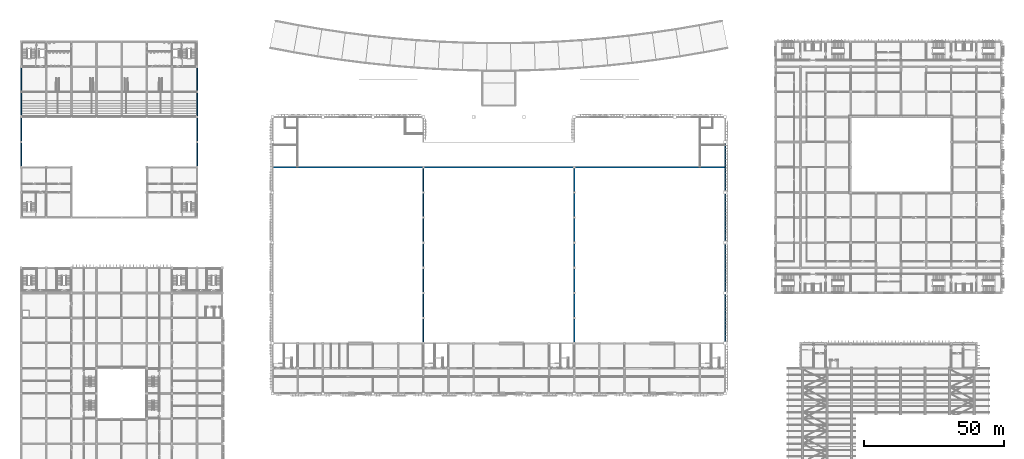
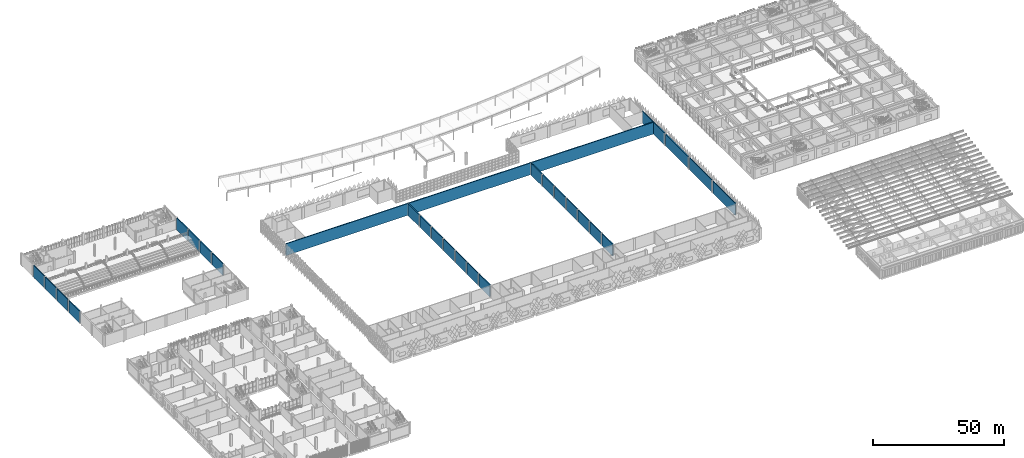
# One storey, part 117 of 185: 27 walls.
"""IFC4 building model written with IfcOpenShell, lengths in metres."""

from ifc_helpers import new_model, si_unit, direction, frame, frame_2d, origin, place, context, subcontext, project, spatial, rectangle, extrude, material, layer, layer_set, type_object, element, save


model = new_model("IFC4")

# Units and contexts
model_context = context("Model", 3, precision=1e-05, world=origin(), true_north=direction((0.0, 1.0)))
body_context = subcontext(model_context, "Body", "Model", "MODEL_VIEW")
ifc_project = project(units=[si_unit("LENGTHUNIT", "METRE"), si_unit("AREAUNIT", "SQUARE_METRE"), si_unit("VOLUMEUNIT", "CUBIC_METRE"), si_unit("PLANEANGLEUNIT", "RADIAN"), si_unit("MASSUNIT", "GRAM", prefix="KILO")], contexts=[model_context])

# Site, building, storey
site_placement = place(None, origin())
site = spatial("IfcSite", under=ifc_project, at=site_placement, CompositionType="ELEMENT")
building_placement = place(site_placement, origin())
building = spatial("IfcBuilding", under=site, at=building_placement, Name="Opaline Strait Convention Centre", CompositionType="ELEMENT")
storey_placement = place(building_placement, frame((0.0, 0.0, 6.0)))
storey = spatial("IfcBuildingStorey", under=building, at=storey_placement, Name="L01", CompositionType="ELEMENT", Elevation=6.0)

# Walls
ifc_material_1 = material(Name="Concrete C40", Category="concrete")
ifc_layer_1 = layer(ifc_material_1, 0.25)
ifc_material_2 = material(Name="Mineral wool insulation")
ifc_layer_2 = layer(ifc_material_2, 0.10009765625)
ifc_material_3 = material(Name="Gypsum board lining")
ifc_layer_3 = layer(ifc_material_3, 0.050048828125)
ifc_layer_set_1 = layer_set([ifc_layer_1, ifc_layer_2, ifc_layer_3], Name="Concrete C40, Mineral wool insulation, Gypsum board lining")
wall_type_1 = type_object("IfcWallType", Name="External wall RC 400 insulated", PredefinedType="SOLIDWALL", material=ifc_layer_set_1)
for number, where, z_axis, x_axis, name in (
    (1, (261.0, 72.5, 0.0), (0.0, 0.0, 1.0), (0.0, 1.0, 0.0), "External wall E3"),
    (2, (261.0, 90.5, 0.0), (0.0, 0.0, 1.0), (0.0, 1.0, 0.0), "External wall E4"),
    (3, (261.0, 108.5, 0.0), (0.0, 0.0, 1.0), (0.0, 1.0, 0.0), "External wall E5"),
    (4, (261.0, 126.5, 0.0), (0.0, 0.0, 1.0), (0.0, 1.0, 0.0), "External wall E6"),
):
    element("IfcWall", number, at=place(storey_placement, frame(where, z_axis=z_axis, x_axis=x_axis)), inside=storey, type_object=wall_type_1, Name=name, PredefinedType="SOLIDWALL", context=body_context, shape_type="SweptSolid", body=[
        extrude(rectangle(XDim=17.0, YDim=0.39990234375, at=frame_2d((8.5, 0.0))), origin(), (0.0, 0.0, 1.0), 5.5),
    ])
ifc_layer_4 = layer(ifc_material_1, 0.39990234375)
ifc_layer_set_2 = layer_set([ifc_layer_4], Name="Concrete C40")
wall_type_2 = type_object("IfcWallType", Name="Fire wall RC 400 3 h", PredefinedType="SOLIDWALL", material=ifc_layer_set_2)
for number, where, z_axis, x_axis, name in (
    (5, (153.0, 72.39990234375, 0.0), (0.0, 0.0, 1.0), (0.0, 1.0, 0.0), "Fire wall 153 panel 1"),
    (6, (153.0, 81.39990234375, 0.0), (0.0, 0.0, 1.0), (0.0, 1.0, 0.0), "Fire wall 153 panel 2"),
    (7, (153.0, 90.39990234375, 0.0), (0.0, 0.0, 1.0), (0.0, 1.0, 0.0), "Fire wall 153 panel 3"),
    (8, (153.0, 99.39990234375, 0.0), (0.0, 0.0, 1.0), (0.0, 1.0, 0.0), "Fire wall 153 panel 4"),
    (9, (153.0, 108.39990234375, 0.0), (0.0, 0.0, 1.0), (0.0, 1.0, 0.0), "Fire wall 153 panel 5"),
    (10, (153.0, 117.39990234375, 0.0), (0.0, 0.0, 1.0), (0.0, 1.0, 0.0), "Fire wall 153 panel 6"),
    (11, (153.0, 126.39990234375, 0.0), (0.0, 0.0, 1.0), (0.0, 1.0, 0.0), "Fire wall 153 panel 7"),
    (12, (207.0, 72.39990234375, 0.0), (0.0, 0.0, 1.0), (0.0, 1.0, 0.0), "Fire wall 207 panel 1"),
    (13, (207.0, 81.39990234375, 0.0), (0.0, 0.0, 1.0), (0.0, 1.0, 0.0), "Fire wall 207 panel 2"),
    (14, (207.0, 90.39990234375, 0.0), (0.0, 0.0, 1.0), (0.0, 1.0, 0.0), "Fire wall 207 panel 3"),
    (15, (207.0, 99.39990234375, 0.0), (0.0, 0.0, 1.0), (0.0, 1.0, 0.0), "Fire wall 207 panel 4"),
    (16, (207.0, 108.39990234375, 0.0), (0.0, 0.0, 1.0), (0.0, 1.0, 0.0), "Fire wall 207 panel 5"),
    (17, (207.0, 117.39990234375, 0.0), (0.0, 0.0, 1.0), (0.0, 1.0, 0.0), "Fire wall 207 panel 6"),
    (18, (207.0, 126.39990234375, 0.0), (0.0, 0.0, 1.0), (0.0, 1.0, 0.0), "Fire wall 207 panel 7"),
):
    element("IfcWall", number, at=place(storey_placement, frame(where, z_axis=z_axis, x_axis=x_axis)), inside=storey, type_object=wall_type_2, Name=name, PredefinedType="SOLIDWALL", context=body_context, shape_type="SweptSolid", body=[
        extrude(rectangle(XDim=8.2001953125, YDim=0.39990234375, at=frame_2d((4.10009765625, 0.0))), origin(), (0.0, 0.0, 1.0), 5.5),
    ])
ifc_layer_5 = layer(ifc_material_1, 0.300048828125)
ifc_material_4 = material(Name="Cement plaster")
ifc_layer_6 = layer(ifc_material_4, 0.050048828125)
ifc_layer_7 = layer(ifc_material_4, 0.050048828125)
ifc_layer_set_3 = layer_set([ifc_layer_5, ifc_layer_6, ifc_layer_7], Name="Concrete C40, Cement plaster, Cement plaster")
wall_type_3 = type_object("IfcWallType", Name="Hall compartment wall 400", PredefinedType="SOLIDWALL", material=ifc_layer_set_3)
wall_placement = place(storey_placement, frame((99.199951171875, 135.0, 0.0), z_axis=(0.0, 0.0, 1.0), x_axis=(1.0, 0.0, 0.0)))
element("IfcWall", 19, at=wall_placement, inside=storey, type_object=wall_type_3, Name="Hall north wall", PredefinedType="SOLIDWALL", context=body_context, shape_type="SweptSolid", body=[
    extrude(rectangle(XDim=161.60009765625, YDim=0.39990234375, at=frame_2d((80.800048828125, 0.0))), origin(), (0.0, 0.0, 1.0), 5.5),
])
ifc_layer_8 = layer(ifc_material_1, 0.320068359375)
ifc_layer_9 = layer(ifc_material_2, 0.050048828125)
ifc_layer_10 = layer(ifc_material_3, 0.030029296875)
ifc_layer_set_4 = layer_set([ifc_layer_8, ifc_layer_9, ifc_layer_10], Name="Concrete C40, Mineral wool insulation, Gypsum board lining")
wall_type_4 = type_object("IfcWallType", Name="RC external wall 400 C40", PredefinedType="SOLIDWALL", material=ifc_layer_set_4)
for number, where, z_axis, x_axis, name in (
    (20, (9.0, 135.39990234375, 0.0), (0.0, 0.0, 1.0), (0.0, 1.0, 0.0), "PW1 west wall L01 2/R-2/S"),
    (21, (9.0, 144.39990234375, 0.0), (0.0, 0.0, 1.0), (0.0, 1.0, 0.0), "PW1 west wall L01 2/S-2/T"),
    (22, (9.0, 153.39990234375, 0.0), (0.0, 0.0, 1.0), (0.0, 1.0, 0.0), "PW1 west wall L01 2/T-2/U"),
    (23, (9.0, 162.39990234375, 0.0), (0.0, 0.0, 1.0), (0.0, 1.0, 0.0), "PW1 west wall L01 2/U-2/V"),
    (24, (72.0, 135.39990234375, 0.0), (0.0, 0.0, 1.0), (0.0, 1.0, 0.0), "PW1 east wall L01 9/R-9/S"),
    (25, (72.0, 144.39990234375, 0.0), (0.0, 0.0, 1.0), (0.0, 1.0, 0.0), "PW1 east wall L01 9/S-9/T"),
    (26, (72.0, 153.39990234375, 0.0), (0.0, 0.0, 1.0), (0.0, 1.0, 0.0), "PW1 east wall L01 9/T-9/U"),
    (27, (72.0, 162.39990234375, 0.0), (0.0, 0.0, 1.0), (0.0, 1.0, 0.0), "PW1 east wall L01 9/U-9/V"),
):
    element("IfcWall", number, at=place(storey_placement, frame(where, z_axis=z_axis, x_axis=x_axis)), inside=storey, type_object=wall_type_4, Name=name, PredefinedType="SOLIDWALL", context=body_context, shape_type="SweptSolid", body=[
        extrude(rectangle(XDim=8.2001953125, YDim=0.39990234375, at=frame_2d((4.10009765625, 0.0))), origin(), (0.0, 0.0, 1.0), 5.5),
    ])

save(model, "model.ifc")
